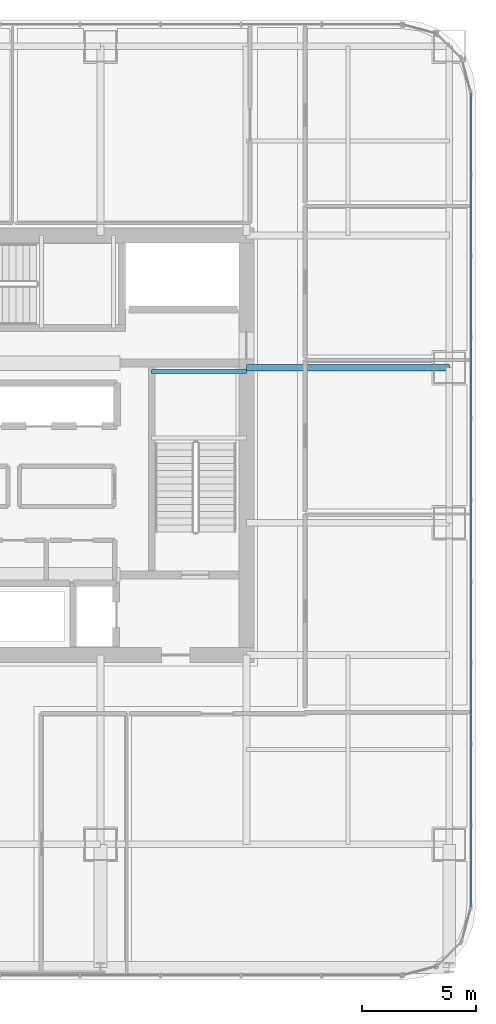
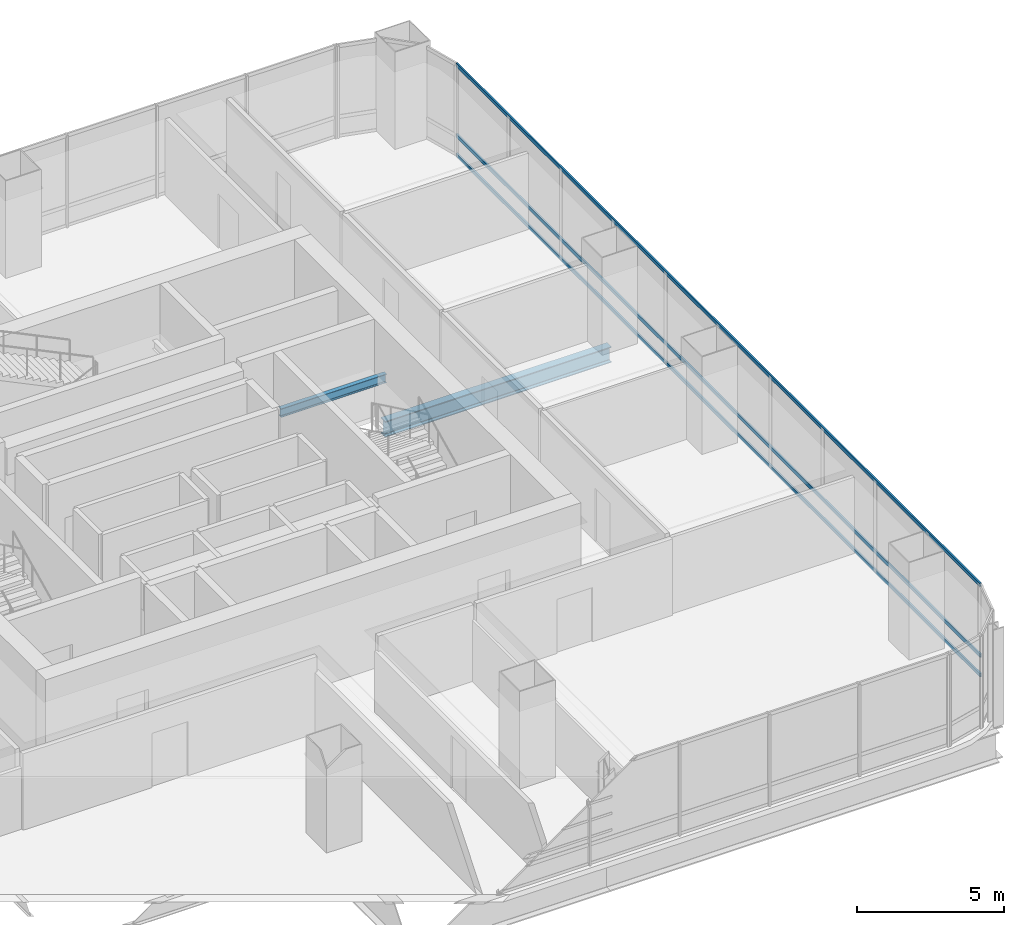
# One storey, part 16 of 37: 3 members, 2 beams, 1 element without a shape of its own.
"""IFC4 building model written with IfcOpenShell, lengths in metres."""

import ifcopenshell
import ifcopenshell.guid

model = None  # the IFC model being written
_history = None  # IfcOwnerHistory: only IFC2X3 demands one
_inside = {}  # id of a spatial element -> (the spatial element, [elements in it])
_under = {}  # id of a project, library or spatial element -> (it, [spatial elements below it])
_declared = {}  # id of a project -> (the project, [libraries it declares])
_typed = {}  # id of a type object -> (the type object, [elements of that type])
_made_of = {}  # id of a material, layer set ... -> (it, [elements and type objects made of it])


def new_model(schema):
    """Start an empty IFC model of exactly this schema.

    Asked for "IFC4X3", IfcOpenShell would pick the latest addendum, in which some entities
    have other attributes; the version numbers below select the first issue.
    IFC2X3 requires an IfcOwnerHistory on every rooted entity: one is made here for all.
    """
    global model, _history
    if schema == "IFC4X3":
        model = ifcopenshell.file(schema_version=(4, 3, 0, 0))
    else:
        model = ifcopenshell.file(schema=schema)
    _inside.clear()
    _under.clear()
    _declared.clear()
    _typed.clear()
    _made_of.clear()
    _history = None
    if model.schema == "IFC2X3":
        org = make("IfcOrganization", Name="unknown")
        user = make(
            "IfcPersonAndOrganization",
            ThePerson=make("IfcPerson", FamilyName="unknown"),
            TheOrganization=org,
        )
        app = make(
            "IfcApplication",
            ApplicationDeveloper=org,
            Version="unknown",
            ApplicationFullName="unknown",
            ApplicationIdentifier="unknown",
        )
        _history = make(
            "IfcOwnerHistory",
            OwningUser=user,
            OwningApplication=app,
            ChangeAction="ADDED",
            CreationDate=0,
        )
    return model


def make(cls, **values):
    """One entity of the class cls with the attributes given. An attribute that is None is left unset."""
    return model.create_entity(
        cls, **{name: value for name, value in values.items() if value is not None}
    )


def rooted(cls, **values):
    """An entity with a GlobalId (a new one), such as an element, a storey or a relation."""
    return make(cls, GlobalId=ifcopenshell.guid.new(), OwnerHistory=_history, **values)


def si_unit(unit_type, name, prefix=None):
    """IfcSIUnit, for example si_unit("LENGTHUNIT", "METRE", prefix="MILLI")."""
    return make("IfcSIUnit", UnitType=unit_type, Prefix=prefix, Name=name)


def assignment(units):
    """IfcUnitAssignment: the units of a project."""
    return None if units is None else make("IfcUnitAssignment", Units=units)


def point(xyz):
    """IfcCartesianPoint."""
    return None if xyz is None else make("IfcCartesianPoint", Coordinates=xyz)


def direction(xyz):
    """IfcDirection."""
    return None if xyz is None else make("IfcDirection", DirectionRatios=xyz)


def frame(location, z_axis=None, x_axis=None):
    """IfcAxis2Placement3D, a coordinate frame: its origin and axes. An axis left out is left unset."""
    return make(
        "IfcAxis2Placement3D",
        Location=point(location),
        Axis=direction(z_axis),
        RefDirection=direction(x_axis),
    )


def frame_2d(location, x_axis=None):
    """IfcAxis2Placement2D, a coordinate frame in the plane: its origin and x axis."""
    return make(
        "IfcAxis2Placement2D", Location=point(location), RefDirection=direction(x_axis)
    )


def origin():
    """The frame at (0, 0, 0) with its axes left unset."""
    return frame((0.0, 0.0, 0.0))


def origin_2d():
    """The frame at (0, 0) in the plane with its x axis left unset."""
    return frame_2d((0.0, 0.0))


def place(relative_to, where):
    """IfcLocalPlacement: puts the frame where relative to a parent placement (None: the world)."""
    return make(
        "IfcLocalPlacement", PlacementRelTo=relative_to, RelativePlacement=where
    )


def context(
    kind, dimensions, precision=None, world=None, true_north=None, identifier=None
):
    """IfcGeometricRepresentationContext, for example the 3D "Model" context."""
    return make(
        "IfcGeometricRepresentationContext",
        ContextIdentifier=identifier,
        ContextType=kind,
        CoordinateSpaceDimension=dimensions,
        Precision=precision,
        WorldCoordinateSystem=world,
        TrueNorth=true_north,
    )


def subcontext(parent, identifier, kind, view, scale=None):
    """IfcGeometricRepresentationSubContext, for example "Body" below "Model"."""
    return make(
        "IfcGeometricRepresentationSubContext",
        ContextIdentifier=identifier,
        ContextType=kind,
        ParentContext=parent,
        TargetScale=scale,
        TargetView=view,
    )


def project(units=None, contexts=None):
    """IfcProject with its units and contexts."""
    return rooted(
        "IfcProject",
        Name="project",
        RepresentationContexts=contexts,
        UnitsInContext=assignment(units),
    )


def spatial(cls, under=None, at=None, **own):
    """A site, building, storey or space (cls), placed at a placement, below another one or the project."""
    s = rooted(cls, ObjectPlacement=at, **own)
    if under is not None:
        _under.setdefault(under.id(), (under, []))[1].append(s)
    return s


def profile(cls, at=None, kind="AREA", **sizes):
    """A parametric profile (cls). Its sizes go by their IFC names, for example OverallWidth=200.0."""
    return make(cls, ProfileType=kind, Position=at, **sizes)


def hollow_rectangle(**sizes):
    """IfcRectangleHollowProfileDef."""
    return profile("IfcRectangleHollowProfileDef", **sizes)


def i_section(**sizes):
    """IfcIShapeProfileDef."""
    return profile("IfcIShapeProfileDef", **sizes)


def extrude(swept, where, along, depth):
    """IfcExtrudedAreaSolid: the profile swept, set in the frame where, extruded along a direction by depth."""
    return make(
        "IfcExtrudedAreaSolid",
        SweptArea=swept,
        Position=where,
        ExtrudedDirection=direction(along),
        Depth=depth,
    )


def shape(context_of_items, identifier, shape_type, items):
    """IfcShapeRepresentation: the items that make up one representation, for example the "Body"."""
    return make(
        "IfcShapeRepresentation",
        ContextOfItems=context_of_items,
        RepresentationIdentifier=identifier,
        RepresentationType=shape_type,
        Items=items,
    )


def material(Name=None, Category=None):
    """IfcMaterial."""
    return make("IfcMaterial", Name=Name, Category=Category)


def material_profile(
    of_material, cross_section, Name=None, Category=None, Priority=None
):
    """IfcMaterialProfile: a cross section and its material."""
    return make(
        "IfcMaterialProfile",
        Name=Name,
        Material=of_material,
        Profile=cross_section,
        Priority=Priority,
        Category=Category,
    )


def profile_set(profiles, Name=None, composite=None):
    """IfcMaterialProfileSet."""
    return make(
        "IfcMaterialProfileSet",
        Name=Name,
        MaterialProfiles=profiles,
        CompositeProfile=composite,
    )


def made_of(thing, what):
    """Note that an element or type object is made of a material, layer set ...; save() writes the relation."""
    if what is not None:
        _made_of.setdefault(what.id(), (what, []))[1].append(thing)
    return thing


def type_object(cls, material=None, **own):
    """A type object (cls), such as IfcWallType, which elements share."""
    return made_of(rooted(cls, **own), material)


def element(
    cls,
    number,
    at=None,
    inside=None,
    cuts=None,
    type_object=None,
    material=None,
    context=None,
    identifier="Body",
    shape_type=None,
    held_by="IfcProductDefinitionShape",
    body=None,
    shapes=None,
    **own,
):
    """One element of the class cls, such as IfcWall. Its Tag is "e" and its number.

    at: its placement. inside: the storey or other place that contains it. cuts: it is an
    opening in that element (IfcRelVoidsElement). A single representation is given by context,
    identifier, shape_type and body (its items); several are given by shapes. held_by: the class
    of the entity that holds the representations. save() writes the other relations.
    """
    e = rooted(cls, Tag="e%d" % number, ObjectPlacement=at, **own)
    if body is not None:
        shapes = [shape(context, identifier, shape_type, body)]
    if shapes is not None:
        e.Representation = make(held_by, Representations=shapes)
    if inside is not None:
        _inside.setdefault(inside.id(), (inside, []))[1].append(e)
    if cuts is not None:
        rooted(
            "IfcRelVoidsElement", RelatingBuildingElement=cuts, RelatedOpeningElement=e
        )
    if type_object is not None:
        _typed.setdefault(type_object.id(), (type_object, []))[1].append(e)
    return made_of(e, material)


def aggregate(whole, parts):
    """IfcRelAggregates: a whole, such as a stair, and the parts it consists of."""
    return rooted("IfcRelAggregates", RelatingObject=whole, RelatedObjects=parts)


def save(model, path):
    """Write the relations noted so far, then the file.

    IfcRelAggregates (storeys below a building ...), IfcRelContainedInSpatialStructure (elements
    in a storey), IfcRelDefinesByType, IfcRelAssociatesMaterial and IfcRelDeclares: one each for
    every whole, place, type object, material and project.
    """
    for whole, parts in _under.values():
        aggregate(whole, parts)
    for where, things in _inside.values():
        rooted(
            "IfcRelContainedInSpatialStructure",
            RelatedElements=things,
            RelatingStructure=where,
        )
    for kind, things in _typed.values():
        rooted("IfcRelDefinesByType", RelatedObjects=things, RelatingType=kind)
    for what, things in _made_of.values():
        rooted("IfcRelAssociatesMaterial", RelatedObjects=things, RelatingMaterial=what)
    for by, libraries in _declared.values():
        rooted("IfcRelDeclares", RelatingContext=by, RelatedDefinitions=libraries)
    model.write(path)


model = new_model("IFC4")

# Units and contexts
model_context = context("Model", 3, precision=1e-05, world=origin(), true_north=direction((0.0, 1.0)))
body_context = subcontext(model_context, "Body", "Model", "MODEL_VIEW")
ifc_project = project(units=[si_unit("LENGTHUNIT", "METRE"), si_unit("AREAUNIT", "SQUARE_METRE"), si_unit("VOLUMEUNIT", "CUBIC_METRE"), si_unit("PLANEANGLEUNIT", "RADIAN"), si_unit("MASSUNIT", "GRAM", prefix="KILO")], contexts=[model_context])

# Site, building, storey
site_placement = place(None, origin())
site = spatial("IfcSite", under=ifc_project, at=site_placement, CompositionType="ELEMENT")
building_placement = place(site_placement, origin())
building = spatial("IfcBuilding", under=site, at=building_placement, Name="Punatoya Terracotta Tower", CompositionType="ELEMENT")
storey_placement = place(building_placement, frame((0.0, 0.0, 192.449951171875)))
storey = spatial("IfcBuildingStorey", under=building, at=storey_placement, Name="L45", CompositionType="ELEMENT", Elevation=192.449951171875)

# Beams
ifc_material_1 = material(Name="Steel S355", Category="steel")
ifc_material_profile_1 = material_profile(ifc_material_1, i_section(OverallWidth=0.300048828125, OverallDepth=0.64990234375, WebThickness=0.01611328125, FlangeThickness=0.031005859375, FilletRadius=0.01806640625, at=origin_2d()))
ifc_profile_set_1 = profile_set([ifc_material_profile_1], Name="Steel S355")
beam_type_1 = type_object("IfcBeamType", Name="BM-PRI-650", PredefinedType="BEAM", material=ifc_profile_set_1)
beam_1_placement = place(storey_placement, frame((10.199951171875, 3.39990234375, -0.544921875), z_axis=(1.0, 0.0, 0.0), x_axis=(0.0, 1.0, 0.0)))
element("IfcBeam", 1, at=beam_1_placement, inside=storey, type_object=beam_type_1, Name="BM-L45-PR-EE", PredefinedType="BEAM", context=body_context, shape_type="SweptSolid", body=[
    extrude(i_section(OverallWidth=0.300048828125, OverallDepth=0.64990234375, WebThickness=0.01611328125, FlangeThickness=0.031005859375, FilletRadius=0.01806640625, at=origin_2d()), origin(), (0.0, 0.0, 1.0), 8.900146484375),
])
ifc_material_profile_2 = material_profile(ifc_material_1, i_section(OverallWidth=0.169921875, OverallDepth=0.360107421875, WebThickness=0.008056640625, FlangeThickness=0.0126953125, FilletRadius=0.01806640625, at=origin_2d()))
ifc_profile_set_2 = profile_set([ifc_material_profile_2], Name="Steel S355")
beam_type_2 = type_object("IfcBeamType", Name="BM-SEC-360", PredefinedType="JOIST", material=ifc_profile_set_2)
beam_2_placement = place(storey_placement, frame((6.050048828125, 3.22998046875, 1.64501953125), z_axis=(1.0, 0.0, 0.0), x_axis=(0.0, 1.0, 0.0)))
element("IfcBeam", 2, at=beam_2_placement, inside=storey, type_object=beam_type_2, Name="BM-L45-ST-2-LD1B", PredefinedType="JOIST", context=body_context, shape_type="SweptSolid", body=[
    extrude(i_section(OverallWidth=0.169921875, OverallDepth=0.360107421875, WebThickness=0.008056640625, FlangeThickness=0.0126953125, FilletRadius=0.01806640625, at=origin_2d()), origin(), (0.0, 0.0, 1.0), 4.14990234375),
])

# Curtain wall, members
ifc_material_2 = material(Name="Aluminium 6063-T6 + Double Low-E Glass", Category="aluminium")
curtain_wall_type = type_object("IfcCurtainWallType", Name="CW-M2", PredefinedType="NOTDEFINED", material=ifc_material_2)
curtain_wall_placement = place(storey_placement, origin())
curtain_wall = element("IfcCurtainWall", 3, at=curtain_wall_placement, inside=storey, type_object=curtain_wall_type, Name="L45 Curtain Wall CW-L45-E05-1", PredefinedType="NOTDEFINED")
ifc_material_3 = material(Name="Aluminium 6063-T6", Category="aluminium")
ifc_material_profile_3 = material_profile(ifc_material_3, hollow_rectangle(XDim=0.068115234375, YDim=0.14990234375, WallThickness=0.00390625, at=origin_2d()))
ifc_profile_set_3 = profile_set([ifc_material_profile_3], Name="Aluminium 6063-T6")
member_type = type_object("IfcMemberType", Name="CW-TRN-TYP", PredefinedType="USERDEFINED", material=ifc_profile_set_3)
member_1_placement = place(storey_placement, frame((20.050048828125, -20.23681640625, 0.0400390625), z_axis=(0.0, 1.0, 0.0), x_axis=(-1.0, 0.0, 0.0)))
member_1 = element("IfcMember", 4, at=member_1_placement, type_object=member_type, Name="CW-L45-E05-1 Transom 1", ObjectType="TRANSOM", PredefinedType="USERDEFINED", context=body_context, shape_type="SweptSolid", body=[
    extrude(hollow_rectangle(XDim=0.068115234375, YDim=0.14990234375, WallThickness=0.00390625, at=origin_2d()), origin(), (0.0, 0.0, 1.0), 35.673828125),
])
member_2_placement = place(storey_placement, frame((20.050048828125, -20.23681640625, 0.85009765625), z_axis=(0.0, 1.0, 0.0), x_axis=(-1.0, 0.0, 0.0)))
member_2 = element("IfcMember", 5, at=member_2_placement, type_object=member_type, Name="CW-L45-E05-1 Transom 2", ObjectType="TRANSOM", PredefinedType="USERDEFINED", context=body_context, shape_type="SweptSolid", body=[
    extrude(hollow_rectangle(XDim=0.068115234375, YDim=0.14990234375, WallThickness=0.00390625, at=origin_2d()), origin(), (0.0, 0.0, 1.0), 35.673828125),
])
member_3_placement = place(storey_placement, frame((20.050048828125, -20.23681640625, 3.7900390625), z_axis=(0.0, 1.0, 0.0), x_axis=(-1.0, 0.0, 0.0)))
member_3 = element("IfcMember", 6, at=member_3_placement, type_object=member_type, Name="CW-L45-E05-1 Transom 3", ObjectType="TRANSOM", PredefinedType="USERDEFINED", context=body_context, shape_type="SweptSolid", body=[
    extrude(hollow_rectangle(XDim=0.068115234375, YDim=0.14990234375, WallThickness=0.00390625, at=origin_2d()), origin(), (0.0, 0.0, 1.0), 35.673828125),
])
aggregate(curtain_wall, [member_1, member_2, member_3])

save(model, "model.ifc")
